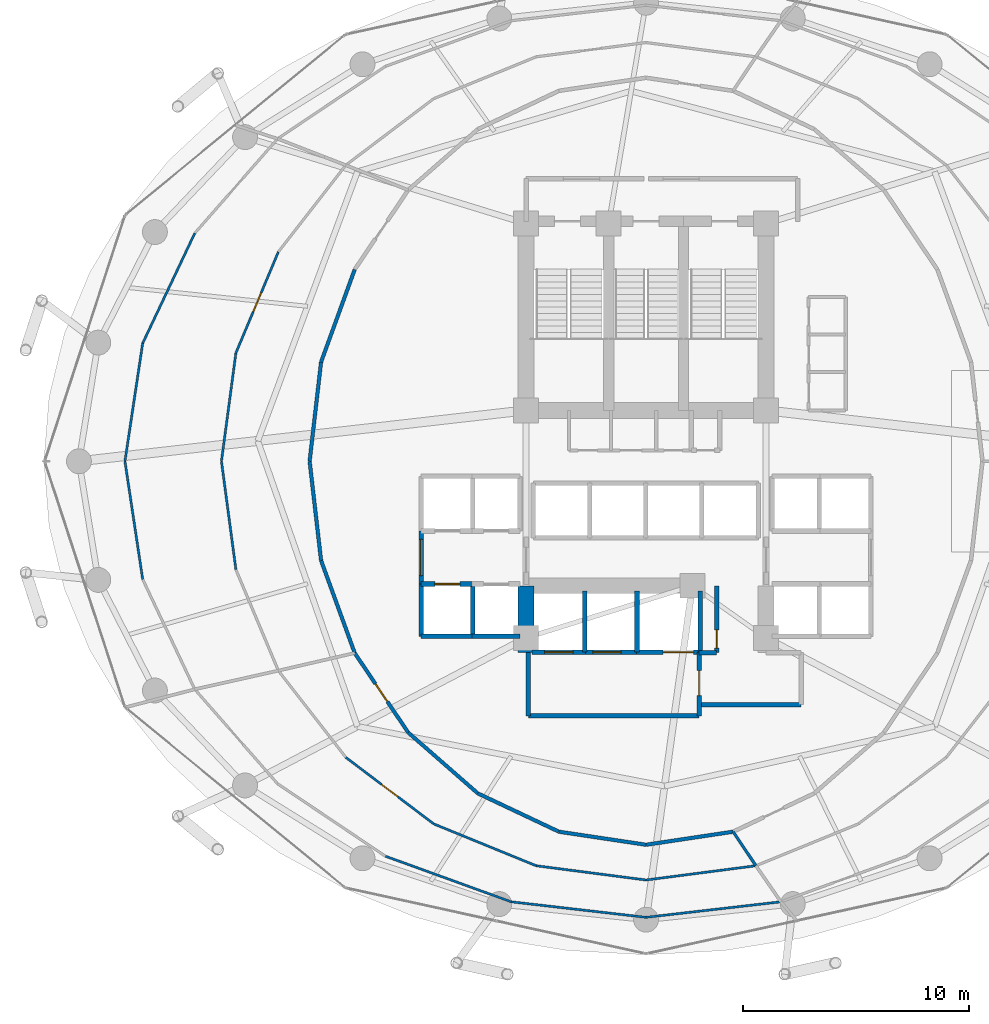
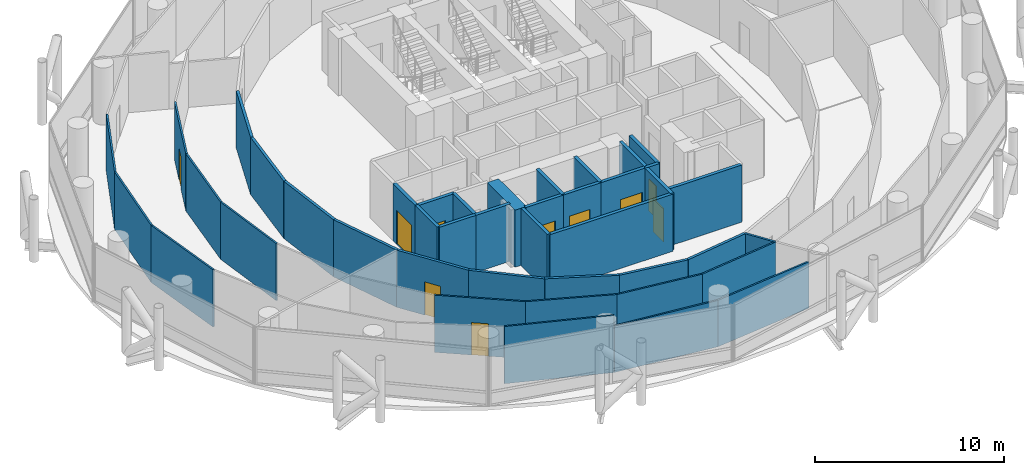
# One storey, part 21 of 27: 42 walls, 10 doors, 10 openings.
"""IFC4 building model written with IfcOpenShell, lengths in metres."""

from ifc_helpers import new_model, si_unit, direction, frame, frame_2d, origin, place, context, subcontext, project, spatial, rectangle, extrude, material, layer, layer_set, type_object, element, fill, save


model = new_model("IFC4")

# Units and contexts
model_context = context("Model", 3, precision=1e-05, world=origin(), true_north=direction((0.0, 1.0)))
body_context = subcontext(model_context, "Body", "Model", "MODEL_VIEW")
ifc_project = project(units=[si_unit("LENGTHUNIT", "METRE"), si_unit("AREAUNIT", "SQUARE_METRE"), si_unit("VOLUMEUNIT", "CUBIC_METRE"), si_unit("PLANEANGLEUNIT", "RADIAN"), si_unit("MASSUNIT", "GRAM", prefix="KILO")], contexts=[model_context])

# Site, building, storey
site_placement = place(None, origin())
site = spatial("IfcSite", under=ifc_project, at=site_placement, CompositionType="ELEMENT")
building_placement = place(site_placement, origin())
building = spatial("IfcBuilding", under=site, at=building_placement, Name="Nuhasar Tower", CompositionType="ELEMENT")
storey_placement = place(building_placement, frame((0.0, 0.0, 102.0)))
storey = spatial("IfcBuildingStorey", under=building, at=storey_placement, Name="L24", CompositionType="ELEMENT", Elevation=102.0)

# Walls
ifc_material_1 = material(Name="Concrete C65/80", Category="concrete")
ifc_layer_1 = layer(ifc_material_1, 0.699951171875)
ifc_layer_set_1 = layer_set([ifc_layer_1], Name="Concrete C65/80")
wall_type_1 = type_object("IfcWallType", Name="WL-CORE-700", PredefinedType="SHEAR", material=ifc_layer_set_1)
wall_1_placement = place(storey_placement, frame((33.699951171875, 18.35009765625, 0.0), z_axis=(0.0, 0.0, 1.0), x_axis=(0.0, 1.0, 0.0)))
element("IfcWall", 1, at=wall_1_placement, inside=storey, type_object=wall_type_1, Name="L24 Core Shear Wall CW-SW CW-700", PredefinedType="SHEAR", context=body_context, shape_type="SweptSolid", body=[
    extrude(rectangle(XDim=2.949951171875, YDim=0.699951171875, at=frame_2d((1.47509765625, 0.0))), origin(), (0.0, 0.0, 1.0), 3.699951171875),
])
ifc_material_2 = material(Name="Gypsum Board", Category="gypsum")
ifc_layer_2 = layer(ifc_material_2, 0.159912109375)
ifc_layer_set_2 = layer_set([ifc_layer_2], Name="Gypsum Board")
wall_type_2 = type_object("IfcWallType", Name="WL-CORR-160", PredefinedType="PARTITIONING", material=ifc_layer_set_2)
wall_2_placement = place(storey_placement, frame((26.131103515625, 35.27001953125, 0.0), z_axis=(0.0, 0.0, 1.0), x_axis=(-0.341603281562, -0.939844241365, 0.0)))
element("IfcWall", 2, at=wall_2_placement, inside=storey, type_object=wall_type_2, Name="L24 Interior Partition CORR-20", PredefinedType="PARTITIONING", context=body_context, shape_type="SweptSolid", body=[
    extrude(rectangle(XDim=4.347412109375, YDim=0.159912109375, at=frame_2d((2.173828125, 0.0))), origin(), (0.0, 0.0, 1.0), 3.699951171875),
])
for number, where, z_axis, x_axis, name in (
    (3, (24.64599609375, 31.18408203125, 0.0), (0.0, 0.0, 1.0), (-0.114680801911, -0.993402392625, 0.0), "L24 Interior Partition CORR-22"),
    (4, (24.139892578125, 26.800048828125, 0.0), (0.0, 0.0, 1.0), (0.114680801911, -0.993402392625, 0.0), "L24 Interior Partition CORR-24"),
):
    element("IfcWall", number, at=place(storey_placement, frame(where, z_axis=z_axis, x_axis=x_axis)), inside=storey, type_object=wall_type_2, Name=name, PredefinedType="PARTITIONING", context=body_context, shape_type="SweptSolid", body=[
        extrude(rectangle(XDim=4.4130859375, YDim=0.159912109375, at=frame_2d((2.20654296875, 0.0))), origin(), (0.0, 0.0, 1.0), 3.699951171875),
    ])
wall_3_placement = place(storey_placement, frame((24.64599609375, 22.416015625, 0.0), z_axis=(0.0, 0.0, 1.0), x_axis=(0.341603281562, -0.939844241365, 0.0)))
element("IfcWall", 5, at=wall_3_placement, inside=storey, type_object=wall_type_2, Name="L24 Interior Partition CORR-26", PredefinedType="PARTITIONING", context=body_context, shape_type="SweptSolid", body=[
    extrude(rectangle(XDim=4.347412109375, YDim=0.159912109375, at=frame_2d((2.173828125, 0.0))), origin(), (0.0, 0.0, 1.0), 3.699951171875),
])

# Wall, opening, door
wall_4_placement = place(storey_placement, frame((28.491943359375, 14.822021484375, 0.0), z_axis=(0.0, 0.0, 1.0), x_axis=(-0.558319056182, 0.829626320402, 0.0)))
wall_4 = element("IfcWall", 6, at=wall_4_placement, inside=storey, type_object=wall_type_2, Name="L24 Interior Partition CORR-28", PredefinedType="PARTITIONING", context=body_context, shape_type="SweptSolid", body=[
    extrude(rectangle(XDim=4.228515625, YDim=0.159912109375, at=frame_2d((2.1142578125, 0.0))), origin(), (0.0, 0.0, 1.0), 3.699951171875),
])
opening_1_placement = place(wall_4_placement, frame((1.638916015625, 0.0, 0.0)))
opening_1 = element("IfcOpeningElement", 7, at=opening_1_placement, cuts=wall_4, Name="Opening DO-01", PredefinedType="OPENING", context=body_context, shape_type="SweptSolid", body=[
    extrude(rectangle(XDim=0.949951171875, YDim=2.14990234375, at=frame_2d((0.47509765625, 1.074951171875))), frame((0.0, 0.08984375, 0.0), z_axis=(0.0, -1.0, 0.0), x_axis=(1.0, 0.0, 0.0)), (0.0, 0.0, 1.0), 0.179931640625),
])
ifc_material_3 = material(Name="Timber Oak", Category="wood")
door_type_1 = type_object("IfcDoorType", Name="DR-OFFICE-FD30-950", OperationType="NOTDEFINED", PredefinedType="DOOR", material=ifc_material_3)
door_1_placement = place(opening_1_placement, origin())
door_1 = element("IfcDoor", 8, at=door_1_placement, inside=storey, type_object=door_type_1, Name="L24 Members Cigar Hall Entry Door", OperationType="SINGLE_SWING_LEFT", OverallHeight=2.14990234375, OverallWidth=0.949951171875, PredefinedType="DOOR", context=body_context, shape_type="SweptSolid", body=[
    extrude(rectangle(XDim=0.949951171875, YDim=2.14990234375, at=frame_2d((0.47509765625, 1.074951171875))), frame((0.0, 0.02490234375, 0.0), z_axis=(0.0, -1.0, 0.0), x_axis=(1.0, 0.0, 0.0)), (0.0, 0.0, 1.0), 0.050048828125),
])
fill(opening_1, door_1)

# Walls
wall_5_placement = place(storey_placement, frame((28.491943359375, 14.822021484375, 0.0), z_axis=(0.0, 0.0, 1.0), x_axis=(0.752724610228, -0.658335523238, 0.0)))
element("IfcWall", 9, at=wall_5_placement, inside=storey, type_object=wall_type_2, Name="L24 Interior Partition CORR-30", PredefinedType="PARTITIONING", context=body_context, shape_type="SweptSolid", body=[
    extrude(rectangle(XDim=4.08935546875, YDim=0.159912109375, at=frame_2d((2.044677734375, 0.0))), origin(), (0.0, 0.0, 1.0), 3.699951171875),
])
wall_6_placement = place(storey_placement, frame((31.570068359375, 12.1298828125, 0.0), z_axis=(0.0, 0.0, 1.0), x_axis=(0.904206361714, -0.427095838701, 0.0)))
element("IfcWall", 10, at=wall_6_placement, inside=storey, type_object=wall_type_2, Name="L24 Interior Partition CORR-32", PredefinedType="PARTITIONING", context=body_context, shape_type="SweptSolid", body=[
    extrude(rectangle(XDim=3.963623046875, YDim=0.159912109375, at=frame_2d((1.98193359375, 0.0))), origin(), (0.0, 0.0, 1.0), 3.699951171875),
])
for number, where, z_axis, x_axis, name in (
    (11, (35.154052734375, 10.43701171875, 0.0), (0.0, 0.0, 1.0), (0.988935892392, -0.14834352274, 0.0), "L24 Interior Partition CORR-34"),
    (12, (39.0, 9.860107421875, 0.0), (0.0, 0.0, 1.0), (0.988935892392, 0.14834352274, 0.0), "L24 Interior Partition CORR-36"),
):
    element("IfcWall", number, at=place(storey_placement, frame(where, z_axis=z_axis, x_axis=x_axis)), inside=storey, type_object=wall_type_2, Name=name, PredefinedType="PARTITIONING", context=body_context, shape_type="SweptSolid", body=[
        extrude(rectangle(XDim=3.888916015625, YDim=0.159912109375, at=frame_2d((1.9443359375, 0.0))), origin(), (0.0, 0.0, 1.0), 3.699951171875),
    ])

# Wall, opening, door
ifc_material_4 = material(Name="Concrete C45/55", Category="concrete")
ifc_layer_3 = layer(ifc_material_4, 0.199951171875)
ifc_layer_set_3 = layer_set([ifc_layer_3], Name="Concrete C45/55")
wall_type_3 = type_object("IfcWallType", Name="WL-LOBBY-200", PredefinedType="SOLIDWALL", material=ifc_layer_set_3)
wall_7_placement = place(storey_placement, frame((29.070068359375, 21.3798828125, 0.0), z_axis=(0.0, 0.0, 1.0), x_axis=(0.0, 1.0, 0.0)))
wall_7 = element("IfcWall", 13, at=wall_7_placement, inside=storey, type_object=wall_type_3, Name="L24 Interior Partition LLBL-W", PredefinedType="SOLIDWALL", context=body_context, shape_type="SweptSolid", body=[
    extrude(rectangle(XDim=2.340087890625, YDim=0.199951171875, at=frame_2d((1.169921875, 0.0))), origin(), (0.0, 0.0, 1.0), 3.699951171875),
])
opening_2_placement = place(wall_7_placement, frame((0.3701171875, 0.0, 0.0)))
opening_2 = element("IfcOpeningElement", 14, at=opening_2_placement, cuts=wall_7, Name="Opening DC-01", PredefinedType="OPENING", context=body_context, shape_type="SweptSolid", body=[
    extrude(rectangle(XDim=1.60009765625, YDim=2.199951171875, at=frame_2d((0.800048828125, 1.10009765625))), frame((0.0, 0.10986328125, 0.0), z_axis=(0.0, -1.0, 0.0), x_axis=(1.0, 0.0, 0.0)), (0.0, 0.0, 1.0), 0.219970703125),
])
ifc_material_5 = material(Name="Steel S355", Category="steel")
door_type_2 = type_object("IfcDoorType", Name="DR-CORR-FD60-1600", OperationType="DOUBLE_DOOR_SINGLE_SWING", PredefinedType="DOOR", material=ifc_material_5)
door_2_placement = place(opening_2_placement, origin())
door_2 = element("IfcDoor", 15, at=door_2_placement, inside=storey, type_object=door_type_2, Name="L24 Low-Rise Lift Lobby West Entry", OperationType="DOUBLE_DOOR_SINGLE_SWING", OverallHeight=2.199951171875, OverallWidth=1.60009765625, PredefinedType="DOOR", context=body_context, shape_type="SweptSolid", body=[
    extrude(rectangle(XDim=1.60009765625, YDim=2.199951171875, at=frame_2d((0.800048828125, 1.10009765625))), frame((0.0, 0.02490234375, 0.0), z_axis=(0.0, -1.0, 0.0), x_axis=(1.0, 0.0, 0.0)), (0.0, 0.0, 1.0), 0.050048828125),
])
fill(opening_2, door_2)

# Walls
wall_8_placement = place(storey_placement, frame((33.800048828125, 15.550048828125, 0.0), z_axis=(0.0, 0.0, 1.0), x_axis=(1.0, 0.0, 0.0)))
element("IfcWall", 16, at=wall_8_placement, inside=storey, type_object=wall_type_3, Name="L24 Interior Partition FFL-S", PredefinedType="SOLIDWALL", context=body_context, shape_type="SweptSolid", body=[
    extrude(rectangle(XDim=7.550048828125, YDim=0.199951171875, at=frame_2d((3.77490234375, 0.0))), origin(), (0.0, 0.0, 1.0), 3.699951171875),
])
wall_9_placement = place(storey_placement, frame((33.800048828125, 15.550048828125, 0.0), z_axis=(0.0, 0.0, 1.0), x_axis=(0.0, 1.0, 0.0)))
element("IfcWall", 17, at=wall_9_placement, inside=storey, type_object=wall_type_3, Name="L24 Interior Partition FFL-W", PredefinedType="SOLIDWALL", context=body_context, shape_type="SweptSolid", body=[
    extrude(rectangle(XDim=2.800048828125, YDim=0.199951171875, at=frame_2d((1.39990234375, 0.0))), origin(), (0.0, 0.0, 1.0), 3.699951171875),
])

# Wall, opening, door
wall_10_placement = place(storey_placement, frame((41.35009765625, 15.550048828125, 0.0), z_axis=(0.0, 0.0, 1.0), x_axis=(0.0, 1.0, 0.0)))
wall_10 = element("IfcWall", 18, at=wall_10_placement, inside=storey, type_object=wall_type_3, Name="L24 Interior Partition FFL-E", PredefinedType="SOLIDWALL", context=body_context, shape_type="SweptSolid", body=[
    extrude(rectangle(XDim=2.800048828125, YDim=0.199951171875, at=frame_2d((1.39990234375, 0.0))), origin(), (0.0, 0.0, 1.0), 3.699951171875),
])
opening_3_placement = place(wall_10_placement, frame((0.89990234375, 0.0, 0.0)))
opening_3 = element("IfcOpeningElement", 19, at=opening_3_placement, cuts=wall_10, Name="Opening DS-02", PredefinedType="OPENING", context=body_context, shape_type="SweptSolid", body=[
    extrude(rectangle(XDim=1.10009765625, YDim=2.14990234375, at=frame_2d((0.550048828125, 1.074951171875))), frame((0.0, 0.10986328125, 0.0), z_axis=(0.0, -1.0, 0.0), x_axis=(1.0, 0.0, 0.0)), (0.0, 0.0, 1.0), 0.219970703125),
])
door_type_3 = type_object("IfcDoorType", Name="DR-FFL-FD120-1100", OperationType="NOTDEFINED", PredefinedType="DOOR", material=ifc_material_5)
door_3_placement = place(opening_3_placement, origin())
door_3 = element("IfcDoor", 20, at=door_3_placement, inside=storey, type_object=door_type_3, Name="L24 Firefighting Lobby Door", OperationType="SINGLE_SWING_RIGHT", OverallHeight=2.14990234375, OverallWidth=1.10009765625, PredefinedType="DOOR", context=body_context, shape_type="SweptSolid", body=[
    extrude(rectangle(XDim=1.10009765625, YDim=2.14990234375, at=frame_2d((0.550048828125, 1.074951171875))), frame((0.0, 0.02490234375, 0.0), z_axis=(0.0, -1.0, 0.0), x_axis=(1.0, 0.0, 0.0)), (0.0, 0.0, 1.0), 0.050048828125),
])
fill(opening_3, door_3)

# Wall
wall_11_placement = place(storey_placement, frame((41.35009765625, 16.050048828125, 0.0), z_axis=(0.0, 0.0, 1.0), x_axis=(1.0, 0.0, 0.0)))
element("IfcWall", 21, at=wall_11_placement, inside=storey, type_object=wall_type_3, Name="L24 Interior Partition SVLV-S", PredefinedType="SOLIDWALL", context=body_context, shape_type="SweptSolid", body=[
    extrude(rectangle(XDim=4.5, YDim=0.199951171875, at=frame_2d((2.25, 0.0))), origin(), (0.0, 0.0, 1.0), 3.699951171875),
])

# Wall, opening, door
ifc_material_6 = material(Name="Aluminium 6063-T6", Category="aluminium")
ifc_layer_4 = layer(ifc_material_6, 0.10009765625)
ifc_layer_set_4 = layer_set([ifc_layer_4], Name="Aluminium 6063-T6")
wall_type_4 = type_object("IfcWallType", Name="WL-MOVABLE-100", PredefinedType="MOVABLE", material=ifc_layer_set_4)
wall_12_placement = place(storey_placement, frame((22.758056640625, 36.048095703125, 0.0), z_axis=(0.0, 0.0, 1.0), x_axis=(-0.387289954907, -0.921957965869, 0.0)))
wall_12 = element("IfcWall", 22, at=wall_12_placement, inside=storey, type_object=wall_type_4, Name="L24 Interior Partition OR1-03-20", PredefinedType="MOVABLE", context=body_context, shape_type="SweptSolid", body=[
    extrude(rectangle(XDim=4.8388671875, YDim=0.10009765625, at=frame_2d((2.41943359375, 0.0))), origin(), (0.0, 0.0, 1.0), 3.699951171875),
])
opening_4_placement = place(wall_12_placement, frame((1.968994140625, 0.0, 0.0)))
opening_4 = element("IfcOpeningElement", 23, at=opening_4_placement, cuts=wall_12, Name="Opening DR-01", PredefinedType="OPENING", context=body_context, shape_type="SweptSolid", body=[
    extrude(rectangle(XDim=0.89990234375, YDim=2.10009765625, at=frame_2d((0.449951171875, 1.050048828125))), frame((0.0, 0.06005859375, 0.0), z_axis=(0.0, -1.0, 0.0), x_axis=(1.0, 0.0, 0.0)), (0.0, 0.0, 1.0), 0.1201171875),
])
door_type_4 = type_object("IfcDoorType", Name="DR-ROOM-900", OperationType="NOTDEFINED", PredefinedType="DOOR", material=ifc_material_3)
door_4_placement = place(opening_4_placement, origin())
door_4 = element("IfcDoor", 24, at=door_4_placement, inside=storey, type_object=door_type_4, Name="L24 Private Art Gallery Shop Mid Door", OperationType="SINGLE_SWING_LEFT", OverallHeight=2.10009765625, OverallWidth=0.89990234375, PredefinedType="DOOR", context=body_context, shape_type="SweptSolid", body=[
    extrude(rectangle(XDim=0.89990234375, YDim=2.10009765625, at=frame_2d((0.449951171875, 1.050048828125))), frame((0.0, 0.02490234375, 0.0), z_axis=(0.0, -1.0, 0.0), x_axis=(1.0, 0.0, 0.0)), (0.0, 0.0, 1.0), 0.050048828125),
])
fill(opening_4, door_4)

# Walls
wall_13_placement = place(storey_placement, frame((20.884033203125, 31.5869140625, 0.0), z_axis=(0.0, 0.0, 1.0), x_axis=(-0.132299485803, -0.991209789125, 0.0)))
element("IfcWall", 25, at=wall_13_placement, inside=storey, type_object=wall_type_4, Name="L24 Interior Partition OR1-03-22", PredefinedType="MOVABLE", context=body_context, shape_type="SweptSolid", body=[
    extrude(rectangle(XDim=4.829345703125, YDim=0.10009765625, at=frame_2d((2.41455078125, 0.0))), origin(), (0.0, 0.0, 1.0), 3.699951171875),
])
wall_14_placement = place(storey_placement, frame((20.2451171875, 26.800048828125, 0.0), z_axis=(0.0, 0.0, 1.0), x_axis=(0.132292856672, -0.99121067391, 0.0)))
element("IfcWall", 26, at=wall_14_placement, inside=storey, type_object=wall_type_4, Name="L24 Interior Partition OR1-03-24", PredefinedType="MOVABLE", context=body_context, shape_type="SweptSolid", body=[
    extrude(rectangle(XDim=4.82958984375, YDim=0.10009765625, at=frame_2d((2.414794921875, 0.0))), origin(), (0.0, 0.0, 1.0), 3.699951171875),
])
wall_15_placement = place(storey_placement, frame((19.06591796875, 36.873046875, 0.0), z_axis=(0.0, 0.0, 1.0), x_axis=(-0.42779935224, -0.903873726924, 0.0)))
element("IfcWall", 27, at=wall_15_placement, inside=storey, type_object=wall_type_4, Name="L24 Interior Partition OR2-03-20", PredefinedType="MOVABLE", context=body_context, shape_type="SweptSolid", body=[
    extrude(rectangle(XDim=5.3759765625, YDim=0.10009765625, at=frame_2d((2.68798828125, 0.0))), origin(), (0.0, 0.0, 1.0), 3.699951171875),
])
wall_16_placement = place(storey_placement, frame((16.76611328125, 32.013916015625, 0.0), z_axis=(0.0, 0.0, 1.0), x_axis=(-0.148729896957, -0.988877857853, 0.0)))
element("IfcWall", 28, at=wall_16_placement, inside=storey, type_object=wall_type_4, Name="L24 Interior Partition OR2-03-22", PredefinedType="MOVABLE", context=body_context, shape_type="SweptSolid", body=[
    extrude(rectangle(XDim=5.2724609375, YDim=0.10009765625, at=frame_2d((2.63623046875, 0.0))), origin(), (0.0, 0.0, 1.0), 3.699951171875),
])
wall_17_placement = place(storey_placement, frame((15.98193359375, 26.800048828125, 0.0), z_axis=(0.0, 0.0, 1.0), x_axis=(0.148723087006, -0.988878882064, 0.0)))
element("IfcWall", 29, at=wall_17_placement, inside=storey, type_object=wall_type_4, Name="L24 Interior Partition OR2-03-24", PredefinedType="MOVABLE", context=body_context, shape_type="SweptSolid", body=[
    extrude(rectangle(XDim=5.272705078125, YDim=0.10009765625, at=frame_2d((2.63623046875, 0.0))), origin(), (0.0, 0.0, 1.0), 3.699951171875),
])

# Wall, opening, door
wall_18_placement = place(storey_placement, frame((25.738037109375, 13.720947265625, 0.0), z_axis=(0.0, 0.0, 1.0), x_axis=(0.797436371063, -0.603403044494, 0.0)))
wall_18 = element("IfcWall", 30, at=wall_18_placement, inside=storey, type_object=wall_type_4, Name="L24 Interior Partition OR1-04-30", PredefinedType="MOVABLE", context=body_context, shape_type="SweptSolid", body=[
    extrude(rectangle(XDim=4.87060546875, YDim=0.10009765625, at=frame_2d((2.435302734375, 0.0))), origin(), (0.0, 0.0, 1.0), 3.699951171875),
])
opening_5_placement = place(wall_18_placement, frame((1.985107421875, 0.0, 0.0)))
opening_5 = element("IfcOpeningElement", 31, at=opening_5_placement, cuts=wall_18, Name="Opening DR-01", PredefinedType="OPENING", context=body_context, shape_type="SweptSolid", body=[
    extrude(rectangle(XDim=0.89990234375, YDim=2.10009765625, at=frame_2d((0.449951171875, 1.050048828125))), frame((0.0, 0.06005859375, 0.0), z_axis=(0.0, -1.0, 0.0), x_axis=(1.0, 0.0, 0.0)), (0.0, 0.0, 1.0), 0.1201171875),
])
door_5_placement = place(opening_5_placement, origin())
door_5 = element("IfcDoor", 32, at=door_5_placement, inside=storey, type_object=door_type_4, Name="L24 Members Cigar Hall Mid Door", OperationType="SINGLE_SWING_RIGHT", OverallHeight=2.10009765625, OverallWidth=0.89990234375, PredefinedType="DOOR", context=body_context, shape_type="SweptSolid", body=[
    extrude(rectangle(XDim=0.89990234375, YDim=2.10009765625, at=frame_2d((0.449951171875, 1.050048828125))), frame((0.0, 0.02490234375, 0.0), z_axis=(0.0, -1.0, 0.0), x_axis=(1.0, 0.0, 0.0)), (0.0, 0.0, 1.0), 0.050048828125),
])
fill(opening_5, door_5)

# Walls
wall_19_placement = place(storey_placement, frame((29.6220703125, 10.781982421875, 0.0), z_axis=(0.0, 0.0, 1.0), x_axis=(0.925747371304, -0.378142571689, 0.0)))
element("IfcWall", 33, at=wall_19_placement, inside=storey, type_object=wall_type_4, Name="L24 Interior Partition OR1-04-32", PredefinedType="MOVABLE", context=body_context, shape_type="SweptSolid", body=[
    extrude(rectangle(XDim=4.88671875, YDim=0.10009765625, at=frame_2d((2.443359375, 0.0))), origin(), (0.0, 0.0, 1.0), 3.699951171875),
])
for number, where, z_axis, x_axis, name in (
    (34, (34.14599609375, 8.93408203125, 0.0), (0.0, 0.0, 1.0), (0.991678938749, -0.128735707721, 0.0), "L24 Interior Partition OR1-04-34"),
    (35, (39.0, 8.303955078125, 0.0), (0.0, 0.0, 1.0), (0.991678938749, 0.128735707721, 0.0), "L24 Interior Partition OR1-04-36"),
):
    element("IfcWall", number, at=place(storey_placement, frame(where, z_axis=z_axis, x_axis=x_axis)), inside=storey, type_object=wall_type_4, Name=name, PredefinedType="MOVABLE", context=body_context, shape_type="SweptSolid", body=[
        extrude(rectangle(XDim=4.894775390625, YDim=0.10009765625, at=frame_2d((2.447265625, 0.0))), origin(), (0.0, 0.0, 1.0), 3.699951171875),
    ])
wall_20_placement = place(storey_placement, frame((27.490966796875, 9.35400390625, 0.0), z_axis=(0.0, 0.0, 1.0), x_axis=(0.940117685929, -0.340850020689, 0.0)))
element("IfcWall", 36, at=wall_20_placement, inside=storey, type_object=wall_type_4, Name="L24 Interior Partition OR2-04-32", PredefinedType="MOVABLE", context=body_context, shape_type="SweptSolid", body=[
    extrude(rectangle(XDim=5.90576171875, YDim=0.10009765625, at=frame_2d((2.952880859375, 0.0))), origin(), (0.0, 0.0, 1.0), 3.699951171875),
])
for number, where, z_axis, x_axis, name in (
    (37, (33.04296875, 7.341064453125, 0.0), (0.0, 0.0, 1.0), (0.993433875949, -0.114407753747, 0.0), "L24 Interior Partition OR2-04-34"),
    (38, (39.0, 6.655029296875, 0.0), (0.0, 0.0, 1.0), (0.993433875949, 0.114407753747, 0.0), "L24 Interior Partition OR2-04-36"),
):
    element("IfcWall", number, at=place(storey_placement, frame(where, z_axis=z_axis, x_axis=x_axis)), inside=storey, type_object=wall_type_4, Name=name, PredefinedType="MOVABLE", context=body_context, shape_type="SweptSolid", body=[
        extrude(rectangle(XDim=5.996337890625, YDim=0.10009765625, at=frame_2d((2.998046875, 0.0))), origin(), (0.0, 0.0, 1.0), 3.0048828125),
    ])
ifc_layer_5 = layer(ifc_material_2, 0.125)
ifc_layer_set_5 = layer_set([ifc_layer_5], Name="Gypsum Board")
wall_type_5 = type_object("IfcWallType", Name="WL-PART-125", PredefinedType="PARTITIONING", material=ifc_layer_set_5)
wall_21_placement = place(storey_placement, frame((42.845947265625, 10.43701171875, 0.0), z_axis=(0.0, 0.0, 1.0), x_axis=(0.557032949089, -0.83049039346, 0.0)))
element("IfcWall", 39, at=wall_21_placement, inside=storey, type_object=wall_type_5, Name="L24 Interior Partition ORAD7-38-S1", PredefinedType="PARTITIONING", context=body_context, shape_type="SweptSolid", body=[
    extrude(rectangle(XDim=1.8095703125, YDim=0.125, at=frame_2d((0.90478515625, 0.0))), origin(), (0.0, 0.0, 1.0), 3.699951171875),
])
ifc_layer_6 = layer(ifc_material_4, 0.199951171875)
ifc_layer_set_6 = layer_set([ifc_layer_6], Name="Concrete C45/55")
wall_type_6 = type_object("IfcWallType", Name="WL-SHAFT-200", PredefinedType="SOLIDWALL", material=ifc_layer_set_6)
wall_22_placement = place(storey_placement, frame((29.070068359375, 19.070068359375, 0.0), z_axis=(0.0, 0.0, 1.0), x_axis=(1.0, 0.0, 0.0)))
element("IfcWall", 40, at=wall_22_placement, inside=storey, type_object=wall_type_6, Name="L24 Interior Partition SHF-PL-L03-S", PredefinedType="SOLIDWALL", context=body_context, shape_type="SweptSolid", body=[
    extrude(rectangle(XDim=2.309814453125, YDim=0.199951171875, at=frame_2d((1.15478515625, 0.0))), origin(), (0.0, 0.0, 1.0), 3.699951171875),
])

# Wall, opening, door
wall_23_placement = place(storey_placement, frame((29.070068359375, 21.3798828125, 0.0), z_axis=(0.0, 0.0, 1.0), x_axis=(1.0, 0.0, 0.0)))
wall_23 = element("IfcWall", 41, at=wall_23_placement, inside=storey, type_object=wall_type_6, Name="L24 Interior Partition SHF-PL-L03-N", PredefinedType="SOLIDWALL", context=body_context, shape_type="SweptSolid", body=[
    extrude(rectangle(XDim=2.309814453125, YDim=0.199951171875, at=frame_2d((1.15478515625, 0.0))), origin(), (0.0, 0.0, 1.0), 3.699951171875),
])
opening_6_placement = place(wall_23_placement, frame((0.60498046875, 0.0, 0.0)))
opening_6 = element("IfcOpeningElement", 42, at=opening_6_placement, cuts=wall_23, Name="Opening LD-L03", PredefinedType="OPENING", context=body_context, shape_type="SweptSolid", body=[
    extrude(rectangle(XDim=1.10009765625, YDim=2.14990234375, at=frame_2d((0.550048828125, 1.074951171875))), frame((0.0, 0.10986328125, 0.0), z_axis=(0.0, -1.0, 0.0), x_axis=(1.0, 0.0, 0.0)), (0.0, 0.0, 1.0), 0.219970703125),
])
ifc_material_7 = material(Name="Stainless Steel 316L", Category="steel")
door_type_5 = type_object("IfcDoorType", Name="LD-PAX-1100", OperationType="DOUBLE_DOOR_SLIDING", PredefinedType="DOOR", material=ifc_material_7)
door_6_placement = place(opening_6_placement, origin())
door_6 = element("IfcDoor", 43, at=door_6_placement, inside=storey, type_object=door_type_5, Name="L24 Lift Landing Door PL-L03", OperationType="DOUBLE_DOOR_SLIDING", OverallHeight=2.14990234375, OverallWidth=1.10009765625, PredefinedType="DOOR", context=body_context, shape_type="SweptSolid", body=[
    extrude(rectangle(XDim=1.10009765625, YDim=2.14990234375, at=frame_2d((0.550048828125, 1.074951171875))), frame((0.0, 0.02490234375, 0.0), z_axis=(0.0, -1.0, 0.0), x_axis=(1.0, 0.0, 0.0)), (0.0, 0.0, 1.0), 0.050048828125),
])
fill(opening_6, door_6)

# Walls
for number, where, z_axis, x_axis, name in (
    (44, (29.070068359375, 19.070068359375, 0.0), (0.0, 0.0, 1.0), (0.0, 1.0, 0.0), "L24 Interior Partition SHF-PL-L03-W"),
    (45, (31.35009765625, 19.070068359375, 0.0), (0.0, 0.0, 1.0), (0.0, 1.0, 0.0), "L24 Interior Partition SHF-PL-L03-E"),
):
    element("IfcWall", number, at=place(storey_placement, frame(where, z_axis=z_axis, x_axis=x_axis)), inside=storey, type_object=wall_type_6, Name=name, PredefinedType="SOLIDWALL", context=body_context, shape_type="SweptSolid", body=[
        extrude(rectangle(XDim=2.309814453125, YDim=0.199951171875, at=frame_2d((1.15478515625, 0.0))), origin(), (0.0, 0.0, 1.0), 3.699951171875),
    ])
wall_24_placement = place(storey_placement, frame((31.320068359375, 19.070068359375, 0.0), z_axis=(0.0, 0.0, 1.0), x_axis=(1.0, 0.0, 0.0)))
element("IfcWall", 46, at=wall_24_placement, inside=storey, type_object=wall_type_6, Name="L24 Interior Partition SHF-PL-L04-S", PredefinedType="SOLIDWALL", context=body_context, shape_type="SweptSolid", body=[
    extrude(rectangle(XDim=2.10986328125, YDim=0.199951171875, at=frame_2d((1.054931640625, 0.0))), origin(), (0.0, 0.0, 1.0), 3.699951171875),
])

# Wall, opening, door
wall_25_placement = place(storey_placement, frame((33.969970703125, 18.3701171875, 0.0), z_axis=(0.0, 0.0, 1.0), x_axis=(1.0, 0.0, 0.0)))
wall_25 = element("IfcWall", 47, at=wall_25_placement, inside=storey, type_object=wall_type_6, Name="L24 Interior Partition SHF-FFL-01-S", PredefinedType="SOLIDWALL", context=body_context, shape_type="SweptSolid", body=[
    extrude(rectangle(XDim=2.360107421875, YDim=0.199951171875, at=frame_2d((1.18017578125, 0.0))), origin(), (0.0, 0.0, 1.0), 3.699951171875),
])
opening_7_placement = place(wall_25_placement, frame((0.554931640625, 0.0, 0.0)))
opening_7 = element("IfcOpeningElement", 48, at=opening_7_placement, cuts=wall_25, Name="Opening LD-F01", PredefinedType="OPENING", context=body_context, shape_type="SweptSolid", body=[
    extrude(rectangle(XDim=1.25, YDim=2.199951171875, at=frame_2d((0.625, 1.10009765625))), frame((0.0, 0.10986328125, 0.0), z_axis=(0.0, -1.0, 0.0), x_axis=(1.0, 0.0, 0.0)), (0.0, 0.0, 1.0), 0.219970703125),
])
door_type_6 = type_object("IfcDoorType", Name="LD-FFL-1250", OperationType="DOUBLE_DOOR_SLIDING", PredefinedType="DOOR", material=ifc_material_7)
door_7_placement = place(opening_7_placement, origin())
door_7 = element("IfcDoor", 49, at=door_7_placement, inside=storey, type_object=door_type_6, Name="L24 Lift Landing Door FFL-01", OperationType="DOUBLE_DOOR_SLIDING", OverallHeight=2.199951171875, OverallWidth=1.25, PredefinedType="DOOR", context=body_context, shape_type="SweptSolid", body=[
    extrude(rectangle(XDim=1.25, YDim=2.199951171875, at=frame_2d((0.625, 1.10009765625))), frame((0.0, 0.02490234375, 0.0), z_axis=(0.0, -1.0, 0.0), x_axis=(1.0, 0.0, 0.0)), (0.0, 0.0, 1.0), 0.050048828125),
])
fill(opening_7, door_7)

# Wall
wall_26_placement = place(storey_placement, frame((36.300048828125, 18.3701171875, 0.0), z_axis=(0.0, 0.0, 1.0), x_axis=(0.0, 1.0, 0.0)))
element("IfcWall", 50, at=wall_26_placement, inside=storey, type_object=wall_type_6, Name="L24 Interior Partition SHF-FFL-01-E", PredefinedType="SOLIDWALL", context=body_context, shape_type="SweptSolid", body=[
    extrude(rectangle(XDim=2.7099609375, YDim=0.199951171875, at=frame_2d((1.35498046875, 0.0))), origin(), (0.0, 0.0, 1.0), 3.699951171875),
])

# Wall, opening, door
wall_27_placement = place(storey_placement, frame((36.27001953125, 18.3701171875, 0.0), z_axis=(0.0, 0.0, 1.0), x_axis=(1.0, 0.0, 0.0)))
wall_27 = element("IfcWall", 51, at=wall_27_placement, inside=storey, type_object=wall_type_6, Name="L24 Interior Partition SHF-FFL-02-S", PredefinedType="SOLIDWALL", context=body_context, shape_type="SweptSolid", body=[
    extrude(rectangle(XDim=2.35986328125, YDim=0.199951171875, at=frame_2d((1.179931640625, 0.0))), origin(), (0.0, 0.0, 1.0), 3.699951171875),
])
opening_8_placement = place(wall_27_placement, frame((0.3798828125, 0.0, 0.0)))
opening_8 = element("IfcOpeningElement", 52, at=opening_8_placement, cuts=wall_27, Name="Opening LD-F02", PredefinedType="OPENING", context=body_context, shape_type="SweptSolid", body=[
    extrude(rectangle(XDim=1.25, YDim=2.199951171875, at=frame_2d((0.625, 1.10009765625))), frame((0.0, 0.10986328125, 0.0), z_axis=(0.0, -1.0, 0.0), x_axis=(1.0, 0.0, 0.0)), (0.0, 0.0, 1.0), 0.219970703125),
])
door_8_placement = place(opening_8_placement, origin())
door_8 = element("IfcDoor", 53, at=door_8_placement, inside=storey, type_object=door_type_6, Name="L24 Lift Landing Door FFL-02", OperationType="DOUBLE_DOOR_SLIDING", OverallHeight=2.199951171875, OverallWidth=1.25, PredefinedType="DOOR", context=body_context, shape_type="SweptSolid", body=[
    extrude(rectangle(XDim=1.25, YDim=2.199951171875, at=frame_2d((0.625, 1.10009765625))), frame((0.0, 0.02490234375, 0.0), z_axis=(0.0, -1.0, 0.0), x_axis=(1.0, 0.0, 0.0)), (0.0, 0.0, 1.0), 0.050048828125),
])
fill(opening_8, door_8)

# Wall
wall_28_placement = place(storey_placement, frame((38.60009765625, 18.3701171875, 0.0), z_axis=(0.0, 0.0, 1.0), x_axis=(0.0, 1.0, 0.0)))
element("IfcWall", 54, at=wall_28_placement, inside=storey, type_object=wall_type_6, Name="L24 Interior Partition SHF-FFL-02-E", PredefinedType="SOLIDWALL", context=body_context, shape_type="SweptSolid", body=[
    extrude(rectangle(XDim=2.7099609375, YDim=0.199951171875, at=frame_2d((1.35498046875, 0.0))), origin(), (0.0, 0.0, 1.0), 3.699951171875),
])

# Wall, opening, door
wall_29_placement = place(storey_placement, frame((38.570068359375, 18.3701171875, 0.0), z_axis=(0.0, 0.0, 1.0), x_axis=(1.0, 0.0, 0.0)))
wall_29 = element("IfcWall", 55, at=wall_29_placement, inside=storey, type_object=wall_type_6, Name="L24 Interior Partition SHF-SVL-01-S", PredefinedType="SOLIDWALL", context=body_context, shape_type="SweptSolid", body=[
    extrude(rectangle(XDim=2.829833984375, YDim=0.199951171875, at=frame_2d((1.4150390625, 0.0))), origin(), (0.0, 0.0, 1.0), 3.699951171875),
])
opening_9_placement = place(wall_29_placement, frame((1.179931640625, 0.0, 0.0)))
opening_9 = element("IfcOpeningElement", 56, at=opening_9_placement, cuts=wall_29, Name="Opening LD-S01", PredefinedType="OPENING", context=body_context, shape_type="SweptSolid", body=[
    extrude(rectangle(XDim=1.35009765625, YDim=2.179931640625, at=frame_2d((0.675048828125, 1.08984375))), frame((0.0, 0.10986328125, 0.0), z_axis=(0.0, -1.0, 0.0), x_axis=(1.0, 0.0, 0.0)), (0.0, 0.0, 1.0), 0.219970703125),
])
door_type_7 = type_object("IfcDoorType", Name="LD-SVL-1350", OperationType="DOUBLE_DOOR_SLIDING", PredefinedType="DOOR", material=ifc_material_7)
door_9_placement = place(opening_9_placement, origin())
door_9 = element("IfcDoor", 57, at=door_9_placement, inside=storey, type_object=door_type_7, Name="L24 Lift Landing Door SVL-01", OperationType="DOUBLE_DOOR_SLIDING", OverallHeight=2.179931640625, OverallWidth=1.35009765625, PredefinedType="DOOR", context=body_context, shape_type="SweptSolid", body=[
    extrude(rectangle(XDim=1.35009765625, YDim=2.179931640625, at=frame_2d((0.675048828125, 1.08984375))), frame((0.0, 0.02490234375, 0.0), z_axis=(0.0, -1.0, 0.0), x_axis=(1.0, 0.0, 0.0)), (0.0, 0.0, 1.0), 0.050048828125),
])
fill(opening_9, door_9)

# Wall
wall_30_placement = place(storey_placement, frame((41.39990234375, 18.3701171875, 0.0), z_axis=(0.0, 0.0, 1.0), x_axis=(0.0, 1.0, 0.0)))
element("IfcWall", 58, at=wall_30_placement, inside=storey, type_object=wall_type_6, Name="L24 Interior Partition SHF-SVL-01-E", PredefinedType="SOLIDWALL", context=body_context, shape_type="SweptSolid", body=[
    extrude(rectangle(XDim=2.7099609375, YDim=0.199951171875, at=frame_2d((1.35498046875, 0.0))), origin(), (0.0, 0.0, 1.0), 3.699951171875),
])

# Wall, opening, door
wall_31_placement = place(storey_placement, frame((42.1201171875, 18.35009765625, 0.0), z_axis=(0.0, 0.0, 1.0), x_axis=(0.0, 1.0, 0.0)))
wall_31 = element("IfcWall", 59, at=wall_31_placement, inside=storey, type_object=wall_type_6, Name="L24 Interior Partition RSR-E", PredefinedType="SOLIDWALL", context=body_context, shape_type="SweptSolid", body=[
    extrude(rectangle(XDim=2.949951171875, YDim=0.199951171875, at=frame_2d((1.47509765625, 0.0))), origin(), (0.0, 0.0, 1.0), 3.699951171875),
])
opening_10_placement = place(wall_31_placement, frame((0.199951171875, 0.0, 0.0)))
opening_10 = element("IfcOpeningElement", 60, at=opening_10_placement, cuts=wall_31, Name="Opening DM-01", PredefinedType="OPENING", context=body_context, shape_type="SweptSolid", body=[
    extrude(rectangle(XDim=0.800048828125, YDim=2.050048828125, at=frame_2d((0.39990234375, 1.02490234375))), frame((0.0, 0.10986328125, 0.0), z_axis=(0.0, -1.0, 0.0), x_axis=(1.0, 0.0, 0.0)), (0.0, 0.0, 1.0), 0.219970703125),
])
door_type_8 = type_object("IfcDoorType", Name="DR-RISER-FD60-800", OperationType="NOTDEFINED", PredefinedType="DOOR", material=ifc_material_5)
door_10_placement = place(opening_10_placement, origin())
door_10 = element("IfcDoor", 61, at=door_10_placement, inside=storey, type_object=door_type_8, Name="L24 MEP Riser Access Door", OperationType="SINGLE_SWING_LEFT", OverallHeight=2.050048828125, OverallWidth=0.800048828125, PredefinedType="DOOR", context=body_context, shape_type="SweptSolid", body=[
    extrude(rectangle(XDim=0.800048828125, YDim=2.050048828125, at=frame_2d((0.39990234375, 1.02490234375))), frame((0.0, 0.02490234375, 0.0), z_axis=(0.0, -1.0, 0.0), x_axis=(1.0, 0.0, 0.0)), (0.0, 0.0, 1.0), 0.050048828125),
])
fill(opening_10, door_10)

# Wall
wall_32_placement = place(storey_placement, frame((41.35009765625, 18.35009765625, 0.0), z_axis=(0.0, 0.0, 1.0), x_axis=(1.0, 0.0, 0.0)))
element("IfcWall", 62, at=wall_32_placement, inside=storey, type_object=wall_type_6, Name="L24 Interior Partition RSR-S", PredefinedType="SOLIDWALL", context=body_context, shape_type="SweptSolid", body=[
    extrude(rectangle(XDim=0.77001953125, YDim=0.199951171875, at=frame_2d((0.385009765625, 0.0))), origin(), (0.0, 0.0, 1.0), 3.699951171875),
])

save(model, "model.ifc")
